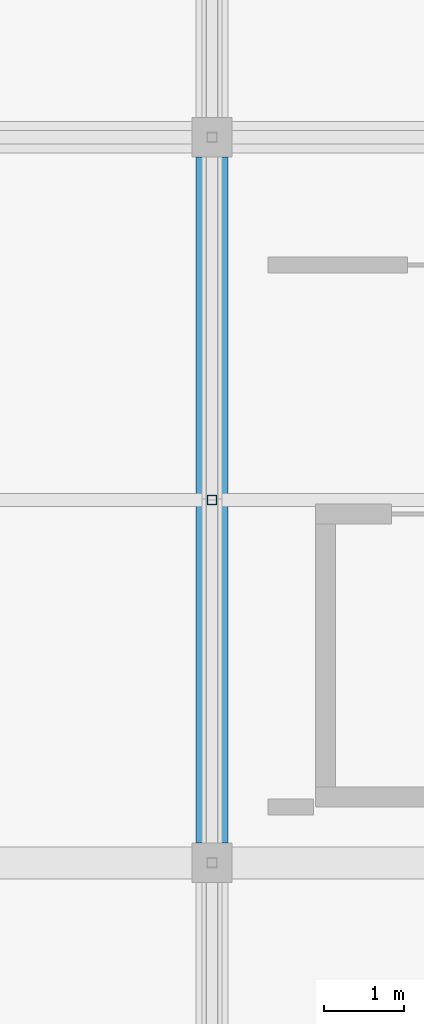
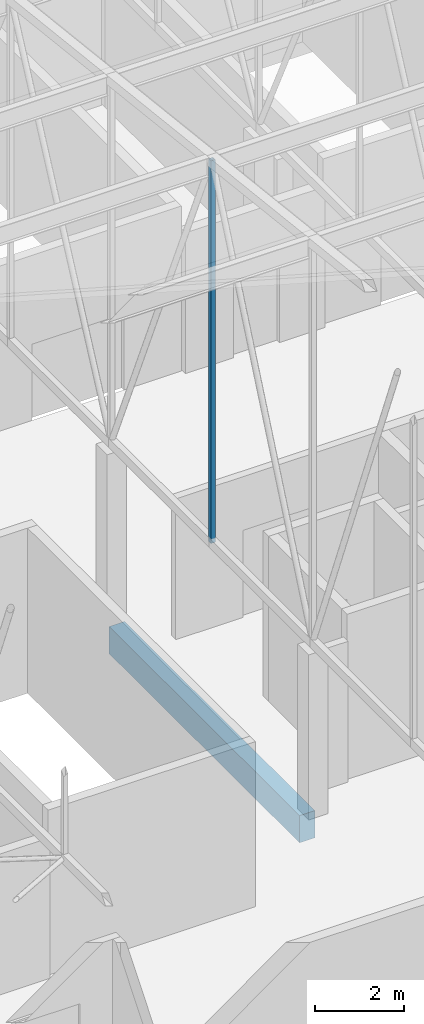
# One storey, part 192 of 500: 1 beam, 1 member.
"""IFC4 building model written with IfcOpenShell, lengths in metres."""

from ifc_helpers import new_model, si_unit, direction, frame, origin, origin_2d, place, context, subcontext, project, spatial, rectangle, hollow_rectangle, extrude, material, material_profile, profile_set, type_object, element, save


model = new_model("IFC4")

# Units and contexts
model_context = context("Model", 3, precision=1e-05, world=origin(), true_north=direction((0.0, 1.0)))
body_context = subcontext(model_context, "Body", "Model", "MODEL_VIEW")
ifc_project = project(units=[si_unit("LENGTHUNIT", "METRE"), si_unit("AREAUNIT", "SQUARE_METRE"), si_unit("VOLUMEUNIT", "CUBIC_METRE"), si_unit("PLANEANGLEUNIT", "RADIAN"), si_unit("MASSUNIT", "GRAM", prefix="KILO")], contexts=[model_context])

# Site, building, storey
site_placement = place(None, origin())
site = spatial("IfcSite", under=ifc_project, at=site_placement, CompositionType="ELEMENT")
building_placement = place(site_placement, origin())
building = spatial("IfcBuilding", under=site, at=building_placement, Name="Shirokan Park Arena", CompositionType="ELEMENT")
storey_placement = place(building_placement, frame((0.0, 0.0, 29.1201171875)))
storey = spatial("IfcBuildingStorey", under=building, at=storey_placement, Name="L06", CompositionType="ELEMENT", Elevation=29.1201171875)

# Beam
ifc_material_1 = material(Name="Concrete C35", Category="concrete")
ifc_material_profile_1 = material_profile(ifc_material_1, rectangle(XDim=0.39990234375, YDim=0.75, at=origin_2d()), Name="400x750")
ifc_profile_set_1 = profile_set([ifc_material_profile_1], Name="Concrete C35")
beam_type = type_object("IfcBeamType", Name="RC girder 400x750", PredefinedType="BEAM", material=ifc_profile_set_1)
beam_placement = place(storey_placement, frame((18.199951171875, 82.150146484375, -0.5751953125), z_axis=(0.0, 1.0, 0.0), x_axis=(-1.0, 0.0, 0.0)))
element("IfcBeam", 1, at=beam_placement, inside=storey, type_object=beam_type, Name="Girder 3K-3L L06", PredefinedType="BEAM", context=body_context, shape_type="SweptSolid", body=[
    extrude(rectangle(XDim=0.39990234375, YDim=0.75, at=origin_2d()), origin(), (0.0, 0.0, 1.0), 8.599853515625),
])

# Member
ifc_material_2 = material(Name="Steel ASTM A500 Grade C", Category="steel")
ifc_material_profile_2 = material_profile(ifc_material_2, hollow_rectangle(XDim=0.114013671875, YDim=0.114013671875, WallThickness=0.00634765625, at=origin_2d()), Name="HSS114.3X114.3X6.4")
ifc_profile_set_2 = profile_set([ifc_material_profile_2], Name="Steel ASTM A500 Grade C")
member_type = type_object("IfcMemberType", Name="Truss post HSS114.3X114.3X6.4", PredefinedType="POST", material=ifc_profile_set_2)
member_placement = place(storey_placement, frame((18.199951171875, 86.449951171875, 4.677001953125), z_axis=(0.0, 0.0, 1.0), x_axis=(1.0, 0.0, 0.0)))
element("IfcMember", 2, at=member_placement, inside=storey, type_object=member_type, Name="Truss T03 post 22", PredefinedType="POST", context=body_context, shape_type="SweptSolid", body=[
    extrude(hollow_rectangle(XDim=0.114013671875, YDim=0.114013671875, WallThickness=0.00634765625, at=origin_2d()), origin(), (0.0, 0.0, 1.0), 10.5458984375),
])

save(model, "model.ifc")
